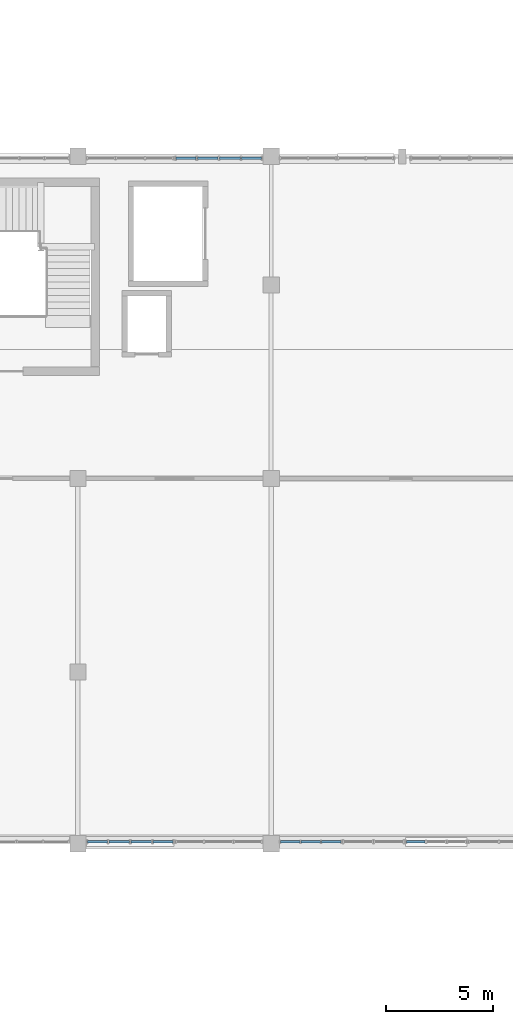
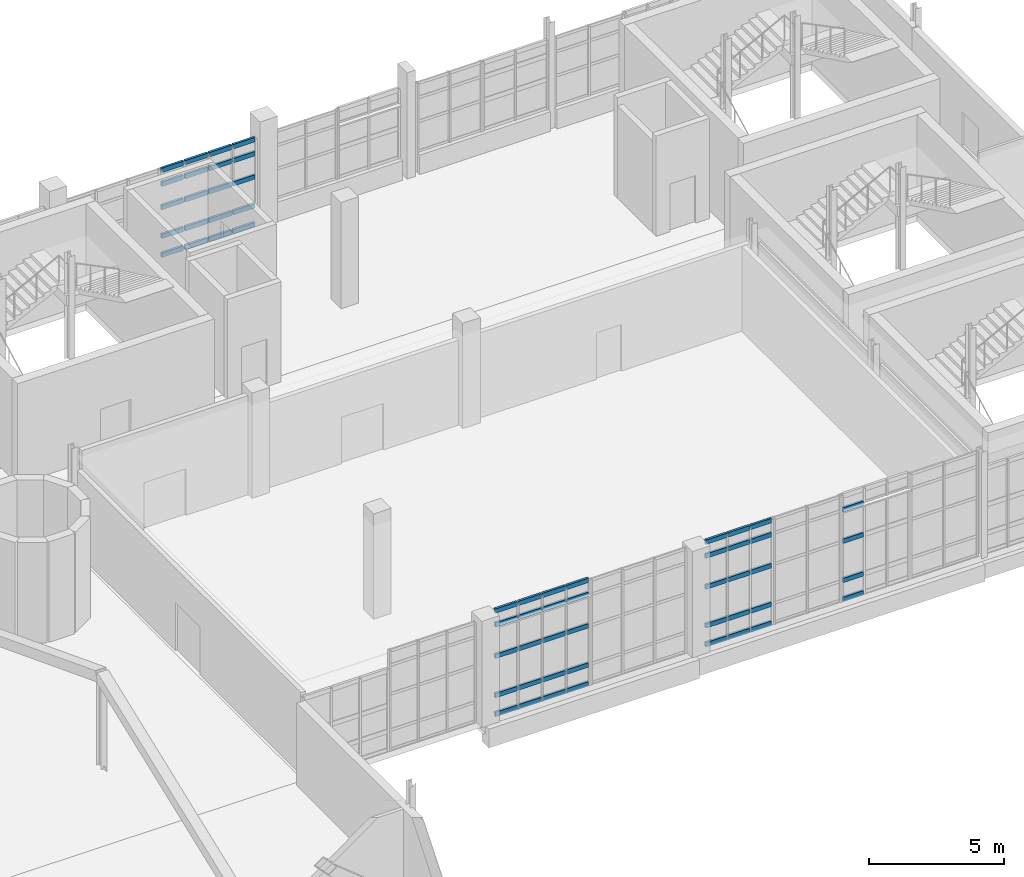
# One storey, part 81 of 127: 59 members, 4 elements without a shape of their own.
"""IFC4 building model written with IfcOpenShell, lengths in metres."""

from ifc_helpers import new_model, si_unit, derived_unit, direction, frame, origin, origin_2d, place, context, subcontext, project, spatial, hollow_rectangle, extrude, material, layer, layer_set, material_profile, profile_set, type_object, element, aggregate, save


model = new_model("IFC4")

# Units and contexts
model_context = context("Model", 3, precision=1e-05, world=origin(), true_north=direction((0.0, 1.0)))
body_context = subcontext(model_context, "Body", "Model", "MODEL_VIEW")
ifc_project = project(units=[si_unit("LENGTHUNIT", "METRE"), si_unit("AREAUNIT", "SQUARE_METRE"), si_unit("VOLUMEUNIT", "CUBIC_METRE"), si_unit("PLANEANGLEUNIT", "RADIAN"), si_unit("MASSUNIT", "GRAM", prefix="KILO"), derived_unit("THERMALTRANSMITTANCEUNIT", [(si_unit("POWERUNIT", "WATT"), 1), (si_unit("LENGTHUNIT", "METRE"), -2), (si_unit("THERMODYNAMICTEMPERATUREUNIT", "KELVIN"), -1)])], contexts=[model_context])

# Site, building, storey
site_placement = place(None, origin())
site = spatial("IfcSite", under=ifc_project, at=site_placement, CompositionType="ELEMENT")
building_placement = place(site_placement, origin())
building = spatial("IfcBuilding", under=site, at=building_placement, Name="Nallur Shell Playhouse", CompositionType="ELEMENT")
storey_placement = place(building_placement, frame((0.0, 0.0, 5.39990234375)))
storey = spatial("IfcBuildingStorey", under=building, at=storey_placement, Name="L02", CompositionType="ELEMENT", Elevation=5.39990234375)

# Curtain wall, members
ifc_material_1 = material(Name="Anodised Aluminium Double-Glazed Facade System", Category="aluminium")
ifc_layer_1 = layer(ifc_material_1, 0.159912109375)
ifc_layer_set_1 = layer_set([ifc_layer_1], Name="Anodised Aluminium Double-Glazed Facade System")
curtain_wall_type_1 = type_object("IfcCurtainWallType", Name="CW-UNIT-30", PredefinedType="NOTDEFINED", material=ifc_layer_set_1)
curtain_wall_1_placement = place(storey_placement, origin())
curtain_wall_1 = element("IfcCurtainWall", 1, at=curtain_wall_1_placement, inside=storey, type_object=curtain_wall_type_1, Name="Unitised curtain wall CW-030 (L02)", PredefinedType="NOTDEFINED")
ifc_material_2 = material(Name="Aluminium Alloy 6063-T6 Transom", Category="aluminium")
ifc_material_profile = material_profile(ifc_material_2, hollow_rectangle(XDim=0.10009765625, YDim=0.199951171875, WallThickness=0.008056640625, at=origin_2d()), Name="RHS 200x100x8")
ifc_profile_set = profile_set([ifc_material_profile], Name="Aluminium Alloy 6063-T6 Transom")
member_type = type_object("IfcMemberType", Name="MB-CW-TRN140", PredefinedType="USERDEFINED", material=ifc_profile_set)
member_1_placement = place(storey_placement, frame((130.971923828125, 55.909912109375, 0.050048828125), z_axis=(1.0, 0.0, 0.0), x_axis=(0.0, 1.0, 0.0)))
member_1 = element("IfcMember", 2, at=member_1_placement, type_object=member_type, Name="CW-30 transom 1.1", ObjectType="TRANSOM", PredefinedType="USERDEFINED", context=body_context, shape_type="SweptSolid", body=[
    extrude(hollow_rectangle(XDim=0.10009765625, YDim=0.199951171875, WallThickness=0.008056640625, at=origin_2d()), origin(), (0.0, 0.0, 1.0), 0.931640625),
])
member_2_placement = place(storey_placement, frame((130.971923828125, 55.909912109375, 0.900146484375), z_axis=(1.0, 0.0, 0.0), x_axis=(0.0, 1.0, 0.0)))
member_2 = element("IfcMember", 3, at=member_2_placement, type_object=member_type, Name="CW-30 transom 1.2", ObjectType="TRANSOM", PredefinedType="USERDEFINED", context=body_context, shape_type="SweptSolid", body=[
    extrude(hollow_rectangle(XDim=0.10009765625, YDim=0.199951171875, WallThickness=0.008056640625, at=origin_2d()), origin(), (0.0, 0.0, 1.0), 0.931640625),
])
member_3_placement = place(storey_placement, frame((130.971923828125, 55.909912109375, 2.2041015625), z_axis=(1.0, 0.0, 0.0), x_axis=(0.0, 1.0, 0.0)))
member_3 = element("IfcMember", 4, at=member_3_placement, type_object=member_type, Name="CW-30 transom 1.3", ObjectType="TRANSOM", PredefinedType="USERDEFINED", context=body_context, shape_type="SweptSolid", body=[
    extrude(hollow_rectangle(XDim=0.10009765625, YDim=0.199951171875, WallThickness=0.008056640625, at=origin_2d()), origin(), (0.0, 0.0, 1.0), 0.931640625),
])
member_4_placement = place(storey_placement, frame((130.971923828125, 55.909912109375, 3.255126953125), z_axis=(1.0, 0.0, 0.0), x_axis=(0.0, 1.0, 0.0)))
member_4 = element("IfcMember", 5, at=member_4_placement, type_object=member_type, Name="CW-30 transom 1.4", ObjectType="TRANSOM", PredefinedType="USERDEFINED", context=body_context, shape_type="SweptSolid", body=[
    extrude(hollow_rectangle(XDim=0.10009765625, YDim=0.199951171875, WallThickness=0.008056640625, at=origin_2d()), origin(), (0.0, 0.0, 1.0), 0.931640625),
])
member_5_placement = place(storey_placement, frame((130.971923828125, 55.909912109375, 3.885009765625), z_axis=(1.0, 0.0, 0.0), x_axis=(0.0, 1.0, 0.0)))
member_5 = element("IfcMember", 6, at=member_5_placement, type_object=member_type, Name="CW-30 transom 1.5", ObjectType="TRANSOM", PredefinedType="USERDEFINED", context=body_context, shape_type="SweptSolid", body=[
    extrude(hollow_rectangle(XDim=0.10009765625, YDim=0.199951171875, WallThickness=0.008056640625, at=origin_2d()), origin(), (0.0, 0.0, 1.0), 0.931640625),
])
member_6_placement = place(storey_placement, frame((131.96240234375, 55.909912109375, 0.050048828125), z_axis=(1.0, 0.0, 0.0), x_axis=(0.0, 1.0, 0.0)))
member_6 = element("IfcMember", 7, at=member_6_placement, type_object=member_type, Name="CW-30 transom 2.1", ObjectType="TRANSOM", PredefinedType="USERDEFINED", context=body_context, shape_type="SweptSolid", body=[
    extrude(hollow_rectangle(XDim=0.10009765625, YDim=0.199951171875, WallThickness=0.008056640625, at=origin_2d()), origin(), (0.0, 0.0, 1.0), 0.968994140625),
])
member_7_placement = place(storey_placement, frame((131.96240234375, 55.909912109375, 0.900146484375), z_axis=(1.0, 0.0, 0.0), x_axis=(0.0, 1.0, 0.0)))
member_7 = element("IfcMember", 8, at=member_7_placement, type_object=member_type, Name="CW-30 transom 2.2", ObjectType="TRANSOM", PredefinedType="USERDEFINED", context=body_context, shape_type="SweptSolid", body=[
    extrude(hollow_rectangle(XDim=0.10009765625, YDim=0.199951171875, WallThickness=0.008056640625, at=origin_2d()), origin(), (0.0, 0.0, 1.0), 0.968994140625),
])
member_8_placement = place(storey_placement, frame((131.96240234375, 55.909912109375, 2.2041015625), z_axis=(1.0, 0.0, 0.0), x_axis=(0.0, 1.0, 0.0)))
member_8 = element("IfcMember", 9, at=member_8_placement, type_object=member_type, Name="CW-30 transom 2.3", ObjectType="TRANSOM", PredefinedType="USERDEFINED", context=body_context, shape_type="SweptSolid", body=[
    extrude(hollow_rectangle(XDim=0.10009765625, YDim=0.199951171875, WallThickness=0.008056640625, at=origin_2d()), origin(), (0.0, 0.0, 1.0), 0.968994140625),
])
member_9_placement = place(storey_placement, frame((131.96240234375, 55.909912109375, 3.255126953125), z_axis=(1.0, 0.0, 0.0), x_axis=(0.0, 1.0, 0.0)))
member_9 = element("IfcMember", 10, at=member_9_placement, type_object=member_type, Name="CW-30 transom 2.4", ObjectType="TRANSOM", PredefinedType="USERDEFINED", context=body_context, shape_type="SweptSolid", body=[
    extrude(hollow_rectangle(XDim=0.10009765625, YDim=0.199951171875, WallThickness=0.008056640625, at=origin_2d()), origin(), (0.0, 0.0, 1.0), 0.968994140625),
])
member_10_placement = place(storey_placement, frame((131.96240234375, 55.909912109375, 3.885009765625), z_axis=(1.0, 0.0, 0.0), x_axis=(0.0, 1.0, 0.0)))
member_10 = element("IfcMember", 11, at=member_10_placement, type_object=member_type, Name="CW-30 transom 2.5", ObjectType="TRANSOM", PredefinedType="USERDEFINED", context=body_context, shape_type="SweptSolid", body=[
    extrude(hollow_rectangle(XDim=0.10009765625, YDim=0.199951171875, WallThickness=0.008056640625, at=origin_2d()), origin(), (0.0, 0.0, 1.0), 0.968994140625),
])
member_11_placement = place(storey_placement, frame((132.990478515625, 55.909912109375, 0.050048828125), z_axis=(1.0, 0.0, 0.0), x_axis=(0.0, 1.0, 0.0)))
member_11 = element("IfcMember", 12, at=member_11_placement, type_object=member_type, Name="CW-30 transom 3.1", ObjectType="TRANSOM", PredefinedType="USERDEFINED", context=body_context, shape_type="SweptSolid", body=[
    extrude(hollow_rectangle(XDim=0.10009765625, YDim=0.199951171875, WallThickness=0.008056640625, at=origin_2d()), origin(), (0.0, 0.0, 1.0), 0.968994140625),
])
member_12_placement = place(storey_placement, frame((132.990478515625, 55.909912109375, 0.900146484375), z_axis=(1.0, 0.0, 0.0), x_axis=(0.0, 1.0, 0.0)))
member_12 = element("IfcMember", 13, at=member_12_placement, type_object=member_type, Name="CW-30 transom 3.2", ObjectType="TRANSOM", PredefinedType="USERDEFINED", context=body_context, shape_type="SweptSolid", body=[
    extrude(hollow_rectangle(XDim=0.10009765625, YDim=0.199951171875, WallThickness=0.008056640625, at=origin_2d()), origin(), (0.0, 0.0, 1.0), 0.968994140625),
])
member_13_placement = place(storey_placement, frame((132.990478515625, 55.909912109375, 2.2041015625), z_axis=(1.0, 0.0, 0.0), x_axis=(0.0, 1.0, 0.0)))
member_13 = element("IfcMember", 14, at=member_13_placement, type_object=member_type, Name="CW-30 transom 3.3", ObjectType="TRANSOM", PredefinedType="USERDEFINED", context=body_context, shape_type="SweptSolid", body=[
    extrude(hollow_rectangle(XDim=0.10009765625, YDim=0.199951171875, WallThickness=0.008056640625, at=origin_2d()), origin(), (0.0, 0.0, 1.0), 0.968994140625),
])
member_14_placement = place(storey_placement, frame((132.990478515625, 55.909912109375, 3.255126953125), z_axis=(1.0, 0.0, 0.0), x_axis=(0.0, 1.0, 0.0)))
member_14 = element("IfcMember", 15, at=member_14_placement, type_object=member_type, Name="CW-30 transom 3.4", ObjectType="TRANSOM", PredefinedType="USERDEFINED", context=body_context, shape_type="SweptSolid", body=[
    extrude(hollow_rectangle(XDim=0.10009765625, YDim=0.199951171875, WallThickness=0.008056640625, at=origin_2d()), origin(), (0.0, 0.0, 1.0), 0.968994140625),
])
member_15_placement = place(storey_placement, frame((132.990478515625, 55.909912109375, 3.885009765625), z_axis=(1.0, 0.0, 0.0), x_axis=(0.0, 1.0, 0.0)))
member_15 = element("IfcMember", 16, at=member_15_placement, type_object=member_type, Name="CW-30 transom 3.5", ObjectType="TRANSOM", PredefinedType="USERDEFINED", context=body_context, shape_type="SweptSolid", body=[
    extrude(hollow_rectangle(XDim=0.10009765625, YDim=0.199951171875, WallThickness=0.008056640625, at=origin_2d()), origin(), (0.0, 0.0, 1.0), 0.968994140625),
])
member_16_placement = place(storey_placement, frame((134.0185546875, 55.909912109375, 0.050048828125), z_axis=(1.0, 0.0, 0.0), x_axis=(0.0, 1.0, 0.0)))
member_16 = element("IfcMember", 17, at=member_16_placement, type_object=member_type, Name="CW-30 transom 4.1", ObjectType="TRANSOM", PredefinedType="USERDEFINED", context=body_context, shape_type="SweptSolid", body=[
    extrude(hollow_rectangle(XDim=0.10009765625, YDim=0.199951171875, WallThickness=0.008056640625, at=origin_2d()), origin(), (0.0, 0.0, 1.0), 0.931396484375),
])
member_17_placement = place(storey_placement, frame((134.0185546875, 55.909912109375, 0.900146484375), z_axis=(1.0, 0.0, 0.0), x_axis=(0.0, 1.0, 0.0)))
member_17 = element("IfcMember", 18, at=member_17_placement, type_object=member_type, Name="CW-30 transom 4.2", ObjectType="TRANSOM", PredefinedType="USERDEFINED", context=body_context, shape_type="SweptSolid", body=[
    extrude(hollow_rectangle(XDim=0.10009765625, YDim=0.199951171875, WallThickness=0.008056640625, at=origin_2d()), origin(), (0.0, 0.0, 1.0), 0.931396484375),
])
member_18_placement = place(storey_placement, frame((134.0185546875, 55.909912109375, 2.2041015625), z_axis=(1.0, 0.0, 0.0), x_axis=(0.0, 1.0, 0.0)))
member_18 = element("IfcMember", 19, at=member_18_placement, type_object=member_type, Name="CW-30 transom 4.3", ObjectType="TRANSOM", PredefinedType="USERDEFINED", context=body_context, shape_type="SweptSolid", body=[
    extrude(hollow_rectangle(XDim=0.10009765625, YDim=0.199951171875, WallThickness=0.008056640625, at=origin_2d()), origin(), (0.0, 0.0, 1.0), 0.931396484375),
])
member_19_placement = place(storey_placement, frame((134.0185546875, 55.909912109375, 3.255126953125), z_axis=(1.0, 0.0, 0.0), x_axis=(0.0, 1.0, 0.0)))
member_19 = element("IfcMember", 20, at=member_19_placement, type_object=member_type, Name="CW-30 transom 4.4", ObjectType="TRANSOM", PredefinedType="USERDEFINED", context=body_context, shape_type="SweptSolid", body=[
    extrude(hollow_rectangle(XDim=0.10009765625, YDim=0.199951171875, WallThickness=0.008056640625, at=origin_2d()), origin(), (0.0, 0.0, 1.0), 0.931396484375),
])
member_20_placement = place(storey_placement, frame((134.0185546875, 55.909912109375, 3.885009765625), z_axis=(1.0, 0.0, 0.0), x_axis=(0.0, 1.0, 0.0)))
member_20 = element("IfcMember", 21, at=member_20_placement, type_object=member_type, Name="CW-30 transom 4.5", ObjectType="TRANSOM", PredefinedType="USERDEFINED", context=body_context, shape_type="SweptSolid", body=[
    extrude(hollow_rectangle(XDim=0.10009765625, YDim=0.199951171875, WallThickness=0.008056640625, at=origin_2d()), origin(), (0.0, 0.0, 1.0), 0.931396484375),
])
aggregate(curtain_wall_1, [member_1, member_2, member_3, member_4, member_5, member_6, member_7, member_8, member_9, member_10, member_11, member_12, member_13, member_14, member_15, member_16, member_17, member_18, member_19, member_20])

ifc_layer_2 = layer(ifc_material_1, 0.159912109375)
ifc_layer_set_2 = layer_set([ifc_layer_2], Name="Anodised Aluminium Double-Glazed Facade System")
curtain_wall_type_2 = type_object("IfcCurtainWallType", Name="CW-UNIT-12", PredefinedType="NOTDEFINED", material=ifc_layer_set_2)
curtain_wall_2_placement = place(storey_placement, origin())
curtain_wall_2 = element("IfcCurtainWall", 22, at=curtain_wall_2_placement, inside=storey, type_object=curtain_wall_type_2, Name="Unitised curtain wall CW-044 (L02)", PredefinedType="NOTDEFINED")
member_21_placement = place(storey_placement, frame((142.568359375, 24.090087890625, 0.050048828125), z_axis=(-1.0, 0.0, 0.0), x_axis=(0.0, -1.0, 0.0)))
member_21 = element("IfcMember", 23, at=member_21_placement, type_object=member_type, Name="CW-12 transom 3.1", ObjectType="TRANSOM", PredefinedType="USERDEFINED", context=body_context, shape_type="SweptSolid", body=[
    extrude(hollow_rectangle(XDim=0.10009765625, YDim=0.199951171875, WallThickness=0.008056640625, at=origin_2d()), origin(), (0.0, 0.0, 1.0), 0.866455078125),
])
member_22_placement = place(storey_placement, frame((142.568359375, 24.090087890625, 0.900146484375), z_axis=(-1.0, 0.0, 0.0), x_axis=(0.0, -1.0, 0.0)))
member_22 = element("IfcMember", 24, at=member_22_placement, type_object=member_type, Name="CW-12 transom 3.2", ObjectType="TRANSOM", PredefinedType="USERDEFINED", context=body_context, shape_type="SweptSolid", body=[
    extrude(hollow_rectangle(XDim=0.10009765625, YDim=0.199951171875, WallThickness=0.008056640625, at=origin_2d()), origin(), (0.0, 0.0, 1.0), 0.866455078125),
])
member_23_placement = place(storey_placement, frame((142.568359375, 24.090087890625, 2.671142578125), z_axis=(-1.0, 0.0, 0.0), x_axis=(0.0, -1.0, 0.0)))
member_23 = element("IfcMember", 25, at=member_23_placement, type_object=member_type, Name="CW-12 transom 3.3", ObjectType="TRANSOM", PredefinedType="USERDEFINED", context=body_context, shape_type="SweptSolid", body=[
    extrude(hollow_rectangle(XDim=0.10009765625, YDim=0.199951171875, WallThickness=0.008056640625, at=origin_2d()), origin(), (0.0, 0.0, 1.0), 0.866455078125),
])
member_24_placement = place(storey_placement, frame((142.568359375, 24.090087890625, 4.090087890625), z_axis=(-1.0, 0.0, 0.0), x_axis=(0.0, -1.0, 0.0)))
member_24 = element("IfcMember", 26, at=member_24_placement, type_object=member_type, Name="CW-12 transom 3.4", ObjectType="TRANSOM", PredefinedType="USERDEFINED", context=body_context, shape_type="SweptSolid", body=[
    extrude(hollow_rectangle(XDim=0.10009765625, YDim=0.199951171875, WallThickness=0.008056640625, at=origin_2d()), origin(), (0.0, 0.0, 1.0), 0.866455078125),
])
aggregate(curtain_wall_2, [member_21, member_22, member_23, member_24])

ifc_layer_3 = layer(ifc_material_1, 0.16796875)
ifc_layer_set_3 = layer_set([ifc_layer_3], Name="Anodised Aluminium Double-Glazed Facade System")
curtain_wall_type_3 = type_object("IfcCurtainWallType", Name="CW-UNIT-14", PredefinedType="NOTDEFINED", material=ifc_layer_set_3)
curtain_wall_3_placement = place(storey_placement, origin())
curtain_wall_3 = element("IfcCurtainWall", 27, at=curtain_wall_3_placement, inside=storey, type_object=curtain_wall_type_3, Name="Unitised curtain wall CW-046 (L02)", PredefinedType="NOTDEFINED")
member_25_placement = place(storey_placement, frame((138.64208984375, 24.090087890625, 0.050048828125), z_axis=(-1.0, 0.0, 0.0), x_axis=(0.0, -1.0, 0.0)))
member_25 = element("IfcMember", 28, at=member_25_placement, type_object=member_type, Name="CW-14 transom 1.1", ObjectType="TRANSOM", PredefinedType="USERDEFINED", context=body_context, shape_type="SweptSolid", body=[
    extrude(hollow_rectangle(XDim=0.10009765625, YDim=0.199951171875, WallThickness=0.008056640625, at=origin_2d()), origin(), (0.0, 0.0, 1.0), 0.890625),
])
member_26_placement = place(storey_placement, frame((138.64208984375, 24.090087890625, 0.900146484375), z_axis=(-1.0, 0.0, 0.0), x_axis=(0.0, -1.0, 0.0)))
member_26 = element("IfcMember", 29, at=member_26_placement, type_object=member_type, Name="CW-14 transom 1.2", ObjectType="TRANSOM", PredefinedType="USERDEFINED", context=body_context, shape_type="SweptSolid", body=[
    extrude(hollow_rectangle(XDim=0.10009765625, YDim=0.199951171875, WallThickness=0.008056640625, at=origin_2d()), origin(), (0.0, 0.0, 1.0), 0.890625),
])
member_27_placement = place(storey_placement, frame((138.64208984375, 24.090087890625, 2.649169921875), z_axis=(-1.0, 0.0, 0.0), x_axis=(0.0, -1.0, 0.0)))
member_27 = element("IfcMember", 30, at=member_27_placement, type_object=member_type, Name="CW-14 transom 1.3", ObjectType="TRANSOM", PredefinedType="USERDEFINED", context=body_context, shape_type="SweptSolid", body=[
    extrude(hollow_rectangle(XDim=0.10009765625, YDim=0.199951171875, WallThickness=0.008056640625, at=origin_2d()), origin(), (0.0, 0.0, 1.0), 0.890625),
])
member_28_placement = place(storey_placement, frame((138.64208984375, 24.090087890625, 4.050048828125), z_axis=(-1.0, 0.0, 0.0), x_axis=(0.0, -1.0, 0.0)))
member_28 = element("IfcMember", 31, at=member_28_placement, type_object=member_type, Name="CW-14 transom 1.4", ObjectType="TRANSOM", PredefinedType="USERDEFINED", context=body_context, shape_type="SweptSolid", body=[
    extrude(hollow_rectangle(XDim=0.10009765625, YDim=0.199951171875, WallThickness=0.008056640625, at=origin_2d()), origin(), (0.0, 0.0, 1.0), 0.890625),
])
member_29_placement = place(storey_placement, frame((138.64208984375, 24.090087890625, 4.68017578125), z_axis=(-1.0, 0.0, 0.0), x_axis=(0.0, -1.0, 0.0)))
member_29 = element("IfcMember", 32, at=member_29_placement, type_object=member_type, Name="CW-14 transom 1.5", ObjectType="TRANSOM", PredefinedType="USERDEFINED", context=body_context, shape_type="SweptSolid", body=[
    extrude(hollow_rectangle(XDim=0.10009765625, YDim=0.199951171875, WallThickness=0.008056640625, at=origin_2d()), origin(), (0.0, 0.0, 1.0), 0.890625),
])
member_30_placement = place(storey_placement, frame((137.702392578125, 24.090087890625, 0.050048828125), z_axis=(-1.0, 0.0, 0.0), x_axis=(0.0, -1.0, 0.0)))
member_30 = element("IfcMember", 33, at=member_30_placement, type_object=member_type, Name="CW-14 transom 2.1", ObjectType="TRANSOM", PredefinedType="USERDEFINED", context=body_context, shape_type="SweptSolid", body=[
    extrude(hollow_rectangle(XDim=0.10009765625, YDim=0.199951171875, WallThickness=0.008056640625, at=origin_2d()), origin(), (0.0, 0.0, 1.0), 0.9228515625),
])
member_31_placement = place(storey_placement, frame((137.702392578125, 24.090087890625, 0.900146484375), z_axis=(-1.0, 0.0, 0.0), x_axis=(0.0, -1.0, 0.0)))
member_31 = element("IfcMember", 34, at=member_31_placement, type_object=member_type, Name="CW-14 transom 2.2", ObjectType="TRANSOM", PredefinedType="USERDEFINED", context=body_context, shape_type="SweptSolid", body=[
    extrude(hollow_rectangle(XDim=0.10009765625, YDim=0.199951171875, WallThickness=0.008056640625, at=origin_2d()), origin(), (0.0, 0.0, 1.0), 0.9228515625),
])
member_32_placement = place(storey_placement, frame((137.702392578125, 24.090087890625, 2.649169921875), z_axis=(-1.0, 0.0, 0.0), x_axis=(0.0, -1.0, 0.0)))
member_32 = element("IfcMember", 35, at=member_32_placement, type_object=member_type, Name="CW-14 transom 2.3", ObjectType="TRANSOM", PredefinedType="USERDEFINED", context=body_context, shape_type="SweptSolid", body=[
    extrude(hollow_rectangle(XDim=0.10009765625, YDim=0.199951171875, WallThickness=0.008056640625, at=origin_2d()), origin(), (0.0, 0.0, 1.0), 0.9228515625),
])
member_33_placement = place(storey_placement, frame((137.702392578125, 24.090087890625, 4.050048828125), z_axis=(-1.0, 0.0, 0.0), x_axis=(0.0, -1.0, 0.0)))
member_33 = element("IfcMember", 36, at=member_33_placement, type_object=member_type, Name="CW-14 transom 2.4", ObjectType="TRANSOM", PredefinedType="USERDEFINED", context=body_context, shape_type="SweptSolid", body=[
    extrude(hollow_rectangle(XDim=0.10009765625, YDim=0.199951171875, WallThickness=0.008056640625, at=origin_2d()), origin(), (0.0, 0.0, 1.0), 0.9228515625),
])
member_34_placement = place(storey_placement, frame((137.702392578125, 24.090087890625, 4.68017578125), z_axis=(-1.0, 0.0, 0.0), x_axis=(0.0, -1.0, 0.0)))
member_34 = element("IfcMember", 37, at=member_34_placement, type_object=member_type, Name="CW-14 transom 2.5", ObjectType="TRANSOM", PredefinedType="USERDEFINED", context=body_context, shape_type="SweptSolid", body=[
    extrude(hollow_rectangle(XDim=0.10009765625, YDim=0.199951171875, WallThickness=0.008056640625, at=origin_2d()), origin(), (0.0, 0.0, 1.0), 0.9228515625),
])
member_35_placement = place(storey_placement, frame((136.73046875, 24.090087890625, 0.050048828125), z_axis=(-1.0, 0.0, 0.0), x_axis=(0.0, -1.0, 0.0)))
member_35 = element("IfcMember", 38, at=member_35_placement, type_object=member_type, Name="CW-14 transom 3.1", ObjectType="TRANSOM", PredefinedType="USERDEFINED", context=body_context, shape_type="SweptSolid", body=[
    extrude(hollow_rectangle(XDim=0.10009765625, YDim=0.199951171875, WallThickness=0.008056640625, at=origin_2d()), origin(), (0.0, 0.0, 1.0), 0.890380859375),
])
member_36_placement = place(storey_placement, frame((136.73046875, 24.090087890625, 0.900146484375), z_axis=(-1.0, 0.0, 0.0), x_axis=(0.0, -1.0, 0.0)))
member_36 = element("IfcMember", 39, at=member_36_placement, type_object=member_type, Name="CW-14 transom 3.2", ObjectType="TRANSOM", PredefinedType="USERDEFINED", context=body_context, shape_type="SweptSolid", body=[
    extrude(hollow_rectangle(XDim=0.10009765625, YDim=0.199951171875, WallThickness=0.008056640625, at=origin_2d()), origin(), (0.0, 0.0, 1.0), 0.890380859375),
])
member_37_placement = place(storey_placement, frame((136.73046875, 24.090087890625, 2.649169921875), z_axis=(-1.0, 0.0, 0.0), x_axis=(0.0, -1.0, 0.0)))
member_37 = element("IfcMember", 40, at=member_37_placement, type_object=member_type, Name="CW-14 transom 3.3", ObjectType="TRANSOM", PredefinedType="USERDEFINED", context=body_context, shape_type="SweptSolid", body=[
    extrude(hollow_rectangle(XDim=0.10009765625, YDim=0.199951171875, WallThickness=0.008056640625, at=origin_2d()), origin(), (0.0, 0.0, 1.0), 0.890380859375),
])
member_38_placement = place(storey_placement, frame((136.73046875, 24.090087890625, 4.050048828125), z_axis=(-1.0, 0.0, 0.0), x_axis=(0.0, -1.0, 0.0)))
member_38 = element("IfcMember", 41, at=member_38_placement, type_object=member_type, Name="CW-14 transom 3.4", ObjectType="TRANSOM", PredefinedType="USERDEFINED", context=body_context, shape_type="SweptSolid", body=[
    extrude(hollow_rectangle(XDim=0.10009765625, YDim=0.199951171875, WallThickness=0.008056640625, at=origin_2d()), origin(), (0.0, 0.0, 1.0), 0.890380859375),
])
member_39_placement = place(storey_placement, frame((136.73046875, 24.090087890625, 4.68017578125), z_axis=(-1.0, 0.0, 0.0), x_axis=(0.0, -1.0, 0.0)))
member_39 = element("IfcMember", 42, at=member_39_placement, type_object=member_type, Name="CW-14 transom 3.5", ObjectType="TRANSOM", PredefinedType="USERDEFINED", context=body_context, shape_type="SweptSolid", body=[
    extrude(hollow_rectangle(XDim=0.10009765625, YDim=0.199951171875, WallThickness=0.008056640625, at=origin_2d()), origin(), (0.0, 0.0, 1.0), 0.890380859375),
])
aggregate(curtain_wall_3, [member_25, member_26, member_27, member_28, member_29, member_30, member_31, member_32, member_33, member_34, member_35, member_36, member_37, member_38, member_39])

ifc_layer_4 = layer(ifc_material_1, 0.176025390625)
ifc_layer_set_4 = layer_set([ifc_layer_4], Name="Anodised Aluminium Double-Glazed Facade System")
curtain_wall_type_4 = type_object("IfcCurtainWallType", Name="CW-UNIT-16", PredefinedType="NOTDEFINED", material=ifc_layer_set_4)
curtain_wall_4_placement = place(storey_placement, origin())
curtain_wall_4 = element("IfcCurtainWall", 43, at=curtain_wall_4_placement, inside=storey, type_object=curtain_wall_type_4, Name="Unitised curtain wall CW-048 (L02)", PredefinedType="NOTDEFINED")
member_40_placement = place(storey_placement, frame((130.827880859375, 24.090087890625, 0.050048828125), z_axis=(-1.0, 0.0, 0.0), x_axis=(0.0, -1.0, 0.0)))
member_40 = element("IfcMember", 44, at=member_40_placement, type_object=member_type, Name="CW-16 transom 1.1", ObjectType="TRANSOM", PredefinedType="USERDEFINED", context=body_context, shape_type="SweptSolid", body=[
    extrude(hollow_rectangle(XDim=0.10009765625, YDim=0.199951171875, WallThickness=0.008056640625, at=origin_2d()), origin(), (0.0, 0.0, 1.0), 0.931396484375),
])
member_41_placement = place(storey_placement, frame((130.827880859375, 24.090087890625, 0.900146484375), z_axis=(-1.0, 0.0, 0.0), x_axis=(0.0, -1.0, 0.0)))
member_41 = element("IfcMember", 45, at=member_41_placement, type_object=member_type, Name="CW-16 transom 1.2", ObjectType="TRANSOM", PredefinedType="USERDEFINED", context=body_context, shape_type="SweptSolid", body=[
    extrude(hollow_rectangle(XDim=0.10009765625, YDim=0.199951171875, WallThickness=0.008056640625, at=origin_2d()), origin(), (0.0, 0.0, 1.0), 0.931396484375),
])
member_42_placement = place(storey_placement, frame((130.827880859375, 24.090087890625, 2.671142578125), z_axis=(-1.0, 0.0, 0.0), x_axis=(0.0, -1.0, 0.0)))
member_42 = element("IfcMember", 46, at=member_42_placement, type_object=member_type, Name="CW-16 transom 1.3", ObjectType="TRANSOM", PredefinedType="USERDEFINED", context=body_context, shape_type="SweptSolid", body=[
    extrude(hollow_rectangle(XDim=0.10009765625, YDim=0.199951171875, WallThickness=0.008056640625, at=origin_2d()), origin(), (0.0, 0.0, 1.0), 0.931396484375),
])
member_43_placement = place(storey_placement, frame((130.827880859375, 24.090087890625, 4.090087890625), z_axis=(-1.0, 0.0, 0.0), x_axis=(0.0, -1.0, 0.0)))
member_43 = element("IfcMember", 47, at=member_43_placement, type_object=member_type, Name="CW-16 transom 1.4", ObjectType="TRANSOM", PredefinedType="USERDEFINED", context=body_context, shape_type="SweptSolid", body=[
    extrude(hollow_rectangle(XDim=0.10009765625, YDim=0.199951171875, WallThickness=0.008056640625, at=origin_2d()), origin(), (0.0, 0.0, 1.0), 0.931396484375),
])
member_44_placement = place(storey_placement, frame((130.827880859375, 24.090087890625, 4.72021484375), z_axis=(-1.0, 0.0, 0.0), x_axis=(0.0, -1.0, 0.0)))
member_44 = element("IfcMember", 48, at=member_44_placement, type_object=member_type, Name="CW-16 transom 1.5", ObjectType="TRANSOM", PredefinedType="USERDEFINED", context=body_context, shape_type="SweptSolid", body=[
    extrude(hollow_rectangle(XDim=0.10009765625, YDim=0.199951171875, WallThickness=0.008056640625, at=origin_2d()), origin(), (0.0, 0.0, 1.0), 0.931396484375),
])
member_45_placement = place(storey_placement, frame((129.83740234375, 24.090087890625, 0.050048828125), z_axis=(-1.0, 0.0, 0.0), x_axis=(0.0, -1.0, 0.0)))
member_45 = element("IfcMember", 49, at=member_45_placement, type_object=member_type, Name="CW-16 transom 2.1", ObjectType="TRANSOM", PredefinedType="USERDEFINED", context=body_context, shape_type="SweptSolid", body=[
    extrude(hollow_rectangle(XDim=0.10009765625, YDim=0.199951171875, WallThickness=0.008056640625, at=origin_2d()), origin(), (0.0, 0.0, 1.0), 0.968994140625),
])
member_46_placement = place(storey_placement, frame((129.83740234375, 24.090087890625, 0.900146484375), z_axis=(-1.0, 0.0, 0.0), x_axis=(0.0, -1.0, 0.0)))
member_46 = element("IfcMember", 50, at=member_46_placement, type_object=member_type, Name="CW-16 transom 2.2", ObjectType="TRANSOM", PredefinedType="USERDEFINED", context=body_context, shape_type="SweptSolid", body=[
    extrude(hollow_rectangle(XDim=0.10009765625, YDim=0.199951171875, WallThickness=0.008056640625, at=origin_2d()), origin(), (0.0, 0.0, 1.0), 0.968994140625),
])
member_47_placement = place(storey_placement, frame((129.83740234375, 24.090087890625, 2.671142578125), z_axis=(-1.0, 0.0, 0.0), x_axis=(0.0, -1.0, 0.0)))
member_47 = element("IfcMember", 51, at=member_47_placement, type_object=member_type, Name="CW-16 transom 2.3", ObjectType="TRANSOM", PredefinedType="USERDEFINED", context=body_context, shape_type="SweptSolid", body=[
    extrude(hollow_rectangle(XDim=0.10009765625, YDim=0.199951171875, WallThickness=0.008056640625, at=origin_2d()), origin(), (0.0, 0.0, 1.0), 0.968994140625),
])
member_48_placement = place(storey_placement, frame((129.83740234375, 24.090087890625, 4.090087890625), z_axis=(-1.0, 0.0, 0.0), x_axis=(0.0, -1.0, 0.0)))
member_48 = element("IfcMember", 52, at=member_48_placement, type_object=member_type, Name="CW-16 transom 2.4", ObjectType="TRANSOM", PredefinedType="USERDEFINED", context=body_context, shape_type="SweptSolid", body=[
    extrude(hollow_rectangle(XDim=0.10009765625, YDim=0.199951171875, WallThickness=0.008056640625, at=origin_2d()), origin(), (0.0, 0.0, 1.0), 0.968994140625),
])
member_49_placement = place(storey_placement, frame((129.83740234375, 24.090087890625, 4.72021484375), z_axis=(-1.0, 0.0, 0.0), x_axis=(0.0, -1.0, 0.0)))
member_49 = element("IfcMember", 53, at=member_49_placement, type_object=member_type, Name="CW-16 transom 2.5", ObjectType="TRANSOM", PredefinedType="USERDEFINED", context=body_context, shape_type="SweptSolid", body=[
    extrude(hollow_rectangle(XDim=0.10009765625, YDim=0.199951171875, WallThickness=0.008056640625, at=origin_2d()), origin(), (0.0, 0.0, 1.0), 0.968994140625),
])
member_50_placement = place(storey_placement, frame((128.8095703125, 24.090087890625, 0.050048828125), z_axis=(-1.0, 0.0, 0.0), x_axis=(0.0, -1.0, 0.0)))
member_50 = element("IfcMember", 54, at=member_50_placement, type_object=member_type, Name="CW-16 transom 3.1", ObjectType="TRANSOM", PredefinedType="USERDEFINED", context=body_context, shape_type="SweptSolid", body=[
    extrude(hollow_rectangle(XDim=0.10009765625, YDim=0.199951171875, WallThickness=0.008056640625, at=origin_2d()), origin(), (0.0, 0.0, 1.0), 0.968994140625),
])
member_51_placement = place(storey_placement, frame((128.8095703125, 24.090087890625, 0.900146484375), z_axis=(-1.0, 0.0, 0.0), x_axis=(0.0, -1.0, 0.0)))
member_51 = element("IfcMember", 55, at=member_51_placement, type_object=member_type, Name="CW-16 transom 3.2", ObjectType="TRANSOM", PredefinedType="USERDEFINED", context=body_context, shape_type="SweptSolid", body=[
    extrude(hollow_rectangle(XDim=0.10009765625, YDim=0.199951171875, WallThickness=0.008056640625, at=origin_2d()), origin(), (0.0, 0.0, 1.0), 0.968994140625),
])
member_52_placement = place(storey_placement, frame((128.8095703125, 24.090087890625, 2.671142578125), z_axis=(-1.0, 0.0, 0.0), x_axis=(0.0, -1.0, 0.0)))
member_52 = element("IfcMember", 56, at=member_52_placement, type_object=member_type, Name="CW-16 transom 3.3", ObjectType="TRANSOM", PredefinedType="USERDEFINED", context=body_context, shape_type="SweptSolid", body=[
    extrude(hollow_rectangle(XDim=0.10009765625, YDim=0.199951171875, WallThickness=0.008056640625, at=origin_2d()), origin(), (0.0, 0.0, 1.0), 0.968994140625),
])
member_53_placement = place(storey_placement, frame((128.8095703125, 24.090087890625, 4.090087890625), z_axis=(-1.0, 0.0, 0.0), x_axis=(0.0, -1.0, 0.0)))
member_53 = element("IfcMember", 57, at=member_53_placement, type_object=member_type, Name="CW-16 transom 3.4", ObjectType="TRANSOM", PredefinedType="USERDEFINED", context=body_context, shape_type="SweptSolid", body=[
    extrude(hollow_rectangle(XDim=0.10009765625, YDim=0.199951171875, WallThickness=0.008056640625, at=origin_2d()), origin(), (0.0, 0.0, 1.0), 0.968994140625),
])
member_54_placement = place(storey_placement, frame((128.8095703125, 24.090087890625, 4.72021484375), z_axis=(-1.0, 0.0, 0.0), x_axis=(0.0, -1.0, 0.0)))
member_54 = element("IfcMember", 58, at=member_54_placement, type_object=member_type, Name="CW-16 transom 3.5", ObjectType="TRANSOM", PredefinedType="USERDEFINED", context=body_context, shape_type="SweptSolid", body=[
    extrude(hollow_rectangle(XDim=0.10009765625, YDim=0.199951171875, WallThickness=0.008056640625, at=origin_2d()), origin(), (0.0, 0.0, 1.0), 0.968994140625),
])
member_55_placement = place(storey_placement, frame((127.781494140625, 24.090087890625, 0.050048828125), z_axis=(-1.0, 0.0, 0.0), x_axis=(0.0, -1.0, 0.0)))
member_55 = element("IfcMember", 59, at=member_55_placement, type_object=member_type, Name="CW-16 transom 4.1", ObjectType="TRANSOM", PredefinedType="USERDEFINED", context=body_context, shape_type="SweptSolid", body=[
    extrude(hollow_rectangle(XDim=0.10009765625, YDim=0.199951171875, WallThickness=0.008056640625, at=origin_2d()), origin(), (0.0, 0.0, 1.0), 0.931396484375),
])
member_56_placement = place(storey_placement, frame((127.781494140625, 24.090087890625, 0.900146484375), z_axis=(-1.0, 0.0, 0.0), x_axis=(0.0, -1.0, 0.0)))
member_56 = element("IfcMember", 60, at=member_56_placement, type_object=member_type, Name="CW-16 transom 4.2", ObjectType="TRANSOM", PredefinedType="USERDEFINED", context=body_context, shape_type="SweptSolid", body=[
    extrude(hollow_rectangle(XDim=0.10009765625, YDim=0.199951171875, WallThickness=0.008056640625, at=origin_2d()), origin(), (0.0, 0.0, 1.0), 0.931396484375),
])
member_57_placement = place(storey_placement, frame((127.781494140625, 24.090087890625, 2.671142578125), z_axis=(-1.0, 0.0, 0.0), x_axis=(0.0, -1.0, 0.0)))
member_57 = element("IfcMember", 61, at=member_57_placement, type_object=member_type, Name="CW-16 transom 4.3", ObjectType="TRANSOM", PredefinedType="USERDEFINED", context=body_context, shape_type="SweptSolid", body=[
    extrude(hollow_rectangle(XDim=0.10009765625, YDim=0.199951171875, WallThickness=0.008056640625, at=origin_2d()), origin(), (0.0, 0.0, 1.0), 0.931396484375),
])
member_58_placement = place(storey_placement, frame((127.781494140625, 24.090087890625, 4.090087890625), z_axis=(-1.0, 0.0, 0.0), x_axis=(0.0, -1.0, 0.0)))
member_58 = element("IfcMember", 62, at=member_58_placement, type_object=member_type, Name="CW-16 transom 4.4", ObjectType="TRANSOM", PredefinedType="USERDEFINED", context=body_context, shape_type="SweptSolid", body=[
    extrude(hollow_rectangle(XDim=0.10009765625, YDim=0.199951171875, WallThickness=0.008056640625, at=origin_2d()), origin(), (0.0, 0.0, 1.0), 0.931396484375),
])
member_59_placement = place(storey_placement, frame((127.781494140625, 24.090087890625, 4.72021484375), z_axis=(-1.0, 0.0, 0.0), x_axis=(0.0, -1.0, 0.0)))
member_59 = element("IfcMember", 63, at=member_59_placement, type_object=member_type, Name="CW-16 transom 4.5", ObjectType="TRANSOM", PredefinedType="USERDEFINED", context=body_context, shape_type="SweptSolid", body=[
    extrude(hollow_rectangle(XDim=0.10009765625, YDim=0.199951171875, WallThickness=0.008056640625, at=origin_2d()), origin(), (0.0, 0.0, 1.0), 0.931396484375),
])
aggregate(curtain_wall_4, [member_40, member_41, member_42, member_43, member_44, member_45, member_46, member_47, member_48, member_49, member_50, member_51, member_52, member_53, member_54, member_55, member_56, member_57, member_58, member_59])

save(model, "model.ifc")
